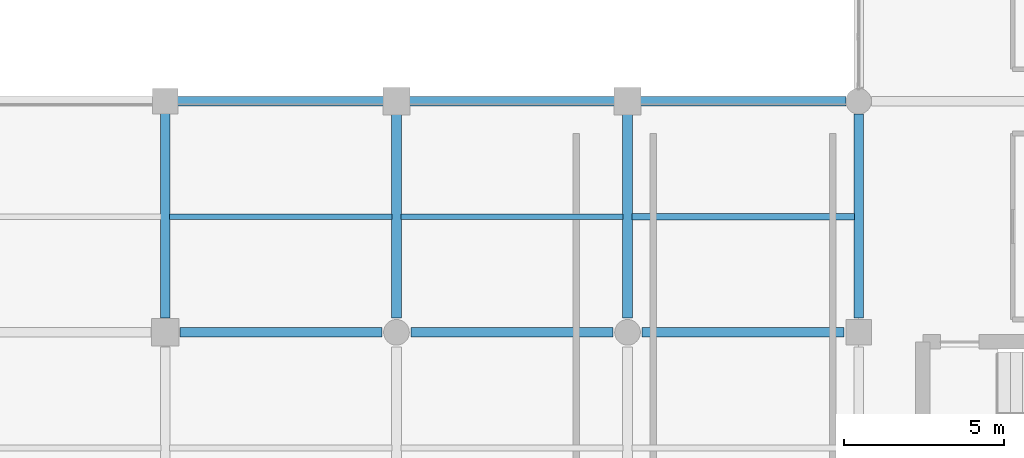
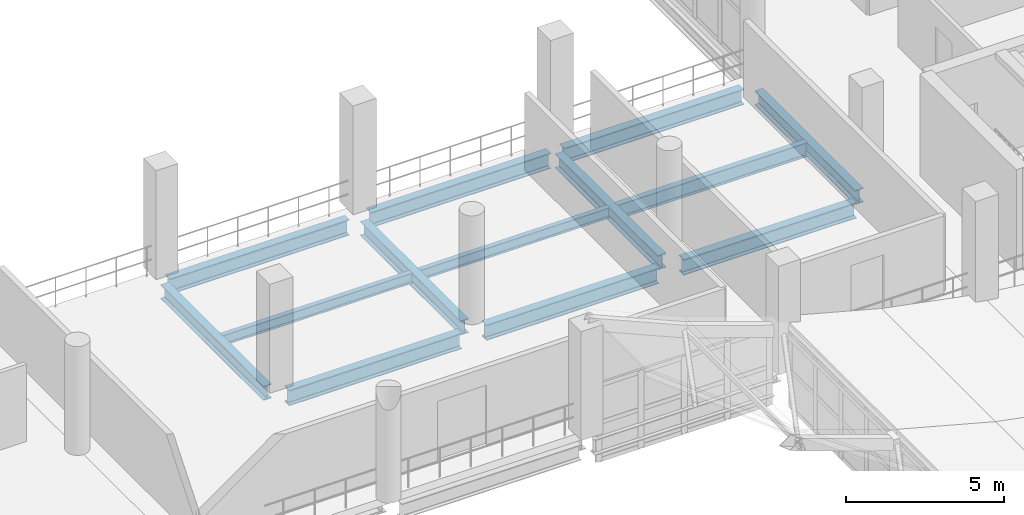
# One storey, part 72 of 153: 13 beams.
"""IFC4 building model written with IfcOpenShell, lengths in metres."""

from ifc_helpers import new_model, si_unit, direction, frame, origin, origin_2d, place, context, subcontext, project, spatial, i_section, extrude, material, material_profile, profile_set, type_object, element, save


model = new_model("IFC4")

# Units and contexts
model_context = context("Model", 3, precision=1e-05, world=origin(), true_north=direction((0.0, 1.0)))
body_context = subcontext(model_context, "Body", "Model", "MODEL_VIEW")
ifc_project = project(units=[si_unit("LENGTHUNIT", "METRE"), si_unit("AREAUNIT", "SQUARE_METRE"), si_unit("VOLUMEUNIT", "CUBIC_METRE"), si_unit("PLANEANGLEUNIT", "RADIAN"), si_unit("MASSUNIT", "GRAM", prefix="KILO")], contexts=[model_context])

# Site, building, storey
site_placement = place(None, origin())
site = spatial("IfcSite", under=ifc_project, at=site_placement, CompositionType="ELEMENT")
building_placement = place(site_placement, origin())
building = spatial("IfcBuilding", under=site, at=building_placement, Name="Qandorah Velis Arena", CompositionType="ELEMENT")
storey_placement = place(building_placement, frame((0.0, 0.0, 5.39990234375)))
storey = spatial("IfcBuildingStorey", under=building, at=storey_placement, Name="L01", CompositionType="ELEMENT", Elevation=5.39990234375)

# Beams
ifc_material = material(Name="Steel S355", Category="steel")
ifc_material_profile_1 = material_profile(ifc_material, i_section(OverallWidth=0.300048828125, OverallDepth=0.550048828125, WebThickness=0.014892578125, FlangeThickness=0.029052734375, FilletRadius=0.027099609375, at=origin_2d()), Name="HEB 550")
ifc_profile_set_1 = profile_set([ifc_material_profile_1], Name="Steel S355")
beam_type_1 = type_object("IfcBeamType", Name="STR-BM-HEB550", PredefinedType="BEAM", material=ifc_profile_set_1)
beam_1_placement = place(storey_placement, frame((129.60009765625, 50.85009765625, -0.635009765625), z_axis=(0.0, 1.0, 0.0), x_axis=(-1.0, 0.0, 0.0)))
element("IfcBeam", 1, at=beam_1_placement, inside=storey, type_object=beam_type_1, Name="Primary floor girder L01 Y-402", PredefinedType="BEAM", context=body_context, shape_type="SweptSolid", body=[
    extrude(i_section(OverallWidth=0.300048828125, OverallDepth=0.550048828125, WebThickness=0.014892578125, FlangeThickness=0.029052734375, FilletRadius=0.027099609375, at=origin_2d()), origin(), (0.0, 0.0, 1.0), 6.5),
])
beam_2_placement = place(storey_placement, frame((136.800048828125, 50.85009765625, -0.635009765625), z_axis=(0.0, 1.0, 0.0), x_axis=(-1.0, 0.0, 0.0)))
element("IfcBeam", 2, at=beam_2_placement, inside=storey, type_object=beam_type_1, Name="Primary floor girder L01 Y-404", PredefinedType="BEAM", context=body_context, shape_type="SweptSolid", body=[
    extrude(i_section(OverallWidth=0.300048828125, OverallDepth=0.550048828125, WebThickness=0.014892578125, FlangeThickness=0.029052734375, FilletRadius=0.027099609375, at=origin_2d()), origin(), (0.0, 0.0, 1.0), 6.349853515625),
])
beam_3_placement = place(storey_placement, frame((144.0, 50.85009765625, -0.635009765625), z_axis=(0.0, 1.0, 0.0), x_axis=(-1.0, 0.0, 0.0)))
element("IfcBeam", 3, at=beam_3_placement, inside=storey, type_object=beam_type_1, Name="Primary floor girder L01 Y-406", PredefinedType="BEAM", context=body_context, shape_type="SweptSolid", body=[
    extrude(i_section(OverallWidth=0.300048828125, OverallDepth=0.550048828125, WebThickness=0.014892578125, FlangeThickness=0.029052734375, FilletRadius=0.027099609375, at=origin_2d()), origin(), (0.0, 0.0, 1.0), 6.5),
])
beam_4_placement = place(storey_placement, frame((151.199951171875, 50.85009765625, -0.635009765625), z_axis=(0.0, 1.0, 0.0), x_axis=(-1.0, 0.0, 0.0)))
element("IfcBeam", 4, at=beam_4_placement, inside=storey, type_object=beam_type_1, Name="Primary floor girder L01 Y-408", PredefinedType="BEAM", context=body_context, shape_type="SweptSolid", body=[
    extrude(i_section(OverallWidth=0.300048828125, OverallDepth=0.550048828125, WebThickness=0.014892578125, FlangeThickness=0.029052734375, FilletRadius=0.027099609375, at=origin_2d()), origin(), (0.0, 0.0, 1.0), 6.349853515625),
])
ifc_material_profile_2 = material_profile(ifc_material, i_section(OverallWidth=0.300048828125, OverallDepth=0.60009765625, WebThickness=0.015380859375, FlangeThickness=0.030029296875, FilletRadius=0.027099609375, at=origin_2d()), Name="HEB 600")
ifc_profile_set_2 = profile_set([ifc_material_profile_2], Name="Steel S355")
beam_type_2 = type_object("IfcBeamType", Name="STR-BM-HEB600", PredefinedType="BEAM", material=ifc_profile_set_2)
for number, where, z_axis, x_axis, name in (
    (5, (130.050048828125, 50.39990234375, -0.659912109375), (1.0, 0.0, 0.0), (0.0, 1.0, 0.0), "Primary floor girder L01 X-094"),
    (6, (137.25, 50.39990234375, -0.659912109375), (1.0, 0.0, 0.0), (0.0, 1.0, 0.0), "Primary floor girder L01 X-095"),
    (7, (144.449951171875, 50.39990234375, -0.659912109375), (1.0, 0.0, 0.0), (0.0, 1.0, 0.0), "Primary floor girder L01 X-096"),
):
    element("IfcBeam", number, at=place(storey_placement, frame(where, z_axis=z_axis, x_axis=x_axis)), inside=storey, type_object=beam_type_2, Name=name, PredefinedType="BEAM", context=body_context, shape_type="SweptSolid", body=[
        extrude(i_section(OverallWidth=0.300048828125, OverallDepth=0.60009765625, WebThickness=0.015380859375, FlangeThickness=0.030029296875, FilletRadius=0.027099609375, at=origin_2d()), origin(), (0.0, 0.0, 1.0), 6.300048828125),
    ])
beam_5_placement = place(storey_placement, frame((129.85009765625, 57.60009765625, -0.659912109375), z_axis=(1.0, 0.0, 0.0), x_axis=(0.0, 1.0, 0.0)))
element("IfcBeam", 8, at=beam_5_placement, inside=storey, type_object=beam_type_2, Name="Primary floor girder L01 X-103", PredefinedType="BEAM", context=body_context, shape_type="SweptSolid", body=[
    extrude(i_section(OverallWidth=0.300048828125, OverallDepth=0.60009765625, WebThickness=0.015380859375, FlangeThickness=0.030029296875, FilletRadius=0.027099609375, at=origin_2d()), origin(), (0.0, 0.0, 1.0), 6.5498046875),
])
for number, where, z_axis, x_axis, name in (
    (9, (137.199951171875, 57.60009765625, -0.659912109375), (1.0, 0.0, 0.0), (0.0, 1.0, 0.0), "Primary floor girder L01 X-104"),
    (10, (144.25, 57.60009765625, -0.659912109375), (1.0, 0.0, 0.0), (0.0, 1.0, 0.0), "Primary floor girder L01 X-105"),
):
    element("IfcBeam", number, at=place(storey_placement, frame(where, z_axis=z_axis, x_axis=x_axis)), inside=storey, type_object=beam_type_2, Name=name, PredefinedType="BEAM", context=body_context, shape_type="SweptSolid", body=[
        extrude(i_section(OverallWidth=0.300048828125, OverallDepth=0.60009765625, WebThickness=0.015380859375, FlangeThickness=0.030029296875, FilletRadius=0.027099609375, at=origin_2d()), origin(), (0.0, 0.0, 1.0), 6.550048828125),
    ])
ifc_material_profile_3 = material_profile(ifc_material, i_section(OverallWidth=0.179931640625, OverallDepth=0.39990234375, WebThickness=0.008544921875, FlangeThickness=0.013427734375, FilletRadius=0.02099609375, at=origin_2d()), Name="IPE 400")
ifc_profile_set_3 = profile_set([ifc_material_profile_3], Name="Steel S355")
beam_type_3 = type_object("IfcBeamType", Name="STR-JST-IPE400", PredefinedType="JOIST", material=ifc_profile_set_3)
for number, where, z_axis, x_axis, name in (
    (11, (129.735107421875, 54.0, -0.559814453125), (1.0, 0.0, 0.0), (0.0, 1.0, 0.0), "Secondary floor joist L01-141"),
    (12, (136.93505859375, 54.0, -0.559814453125), (1.0, 0.0, 0.0), (0.0, 1.0, 0.0), "Secondary floor joist L01-143"),
):
    element("IfcBeam", number, at=place(storey_placement, frame(where, z_axis=z_axis, x_axis=x_axis)), inside=storey, type_object=beam_type_3, Name=name, PredefinedType="JOIST", context=body_context, shape_type="SweptSolid", body=[
        extrude(i_section(OverallWidth=0.179931640625, OverallDepth=0.39990234375, WebThickness=0.008544921875, FlangeThickness=0.013427734375, FilletRadius=0.02099609375, at=origin_2d()), origin(), (0.0, 0.0, 1.0), 6.929931640625),
    ])
ifc_material_profile_4 = material_profile(ifc_material, i_section(OverallWidth=0.2099609375, OverallDepth=0.550048828125, WebThickness=0.010986328125, FlangeThickness=0.01708984375, FilletRadius=0.02392578125, at=origin_2d()), Name="IPE 550")
ifc_profile_set_4 = profile_set([ifc_material_profile_4], Name="Steel S355")
beam_type_4 = type_object("IfcBeamType", Name="STR-JST-IPE550", PredefinedType="JOIST", material=ifc_profile_set_4)
beam_6_placement = place(storey_placement, frame((144.135009765625, 54.0, -0.635009765625), z_axis=(1.0, 0.0, 0.0), x_axis=(0.0, 1.0, 0.0)))
element("IfcBeam", 13, at=beam_6_placement, inside=storey, type_object=beam_type_4, Name="Secondary floor joist L01-145", PredefinedType="JOIST", context=body_context, shape_type="SweptSolid", body=[
    extrude(i_section(OverallWidth=0.2099609375, OverallDepth=0.550048828125, WebThickness=0.010986328125, FlangeThickness=0.01708984375, FilletRadius=0.02392578125, at=origin_2d()), origin(), (0.0, 0.0, 1.0), 6.929931640625),
])

save(model, "model.ifc")
